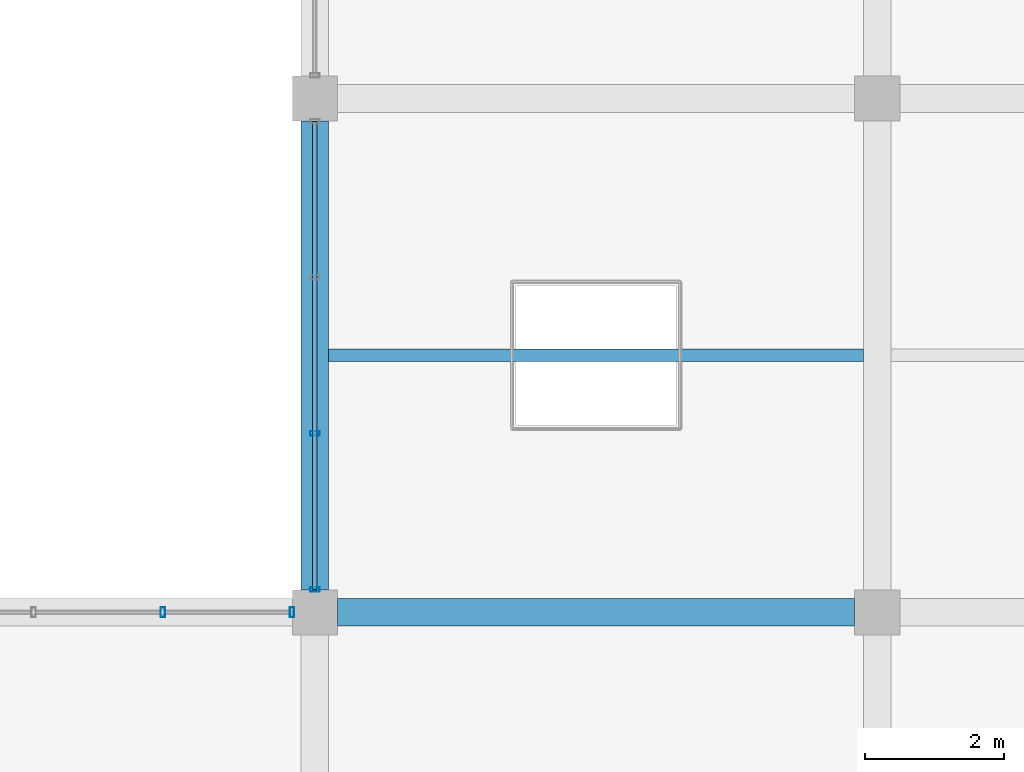
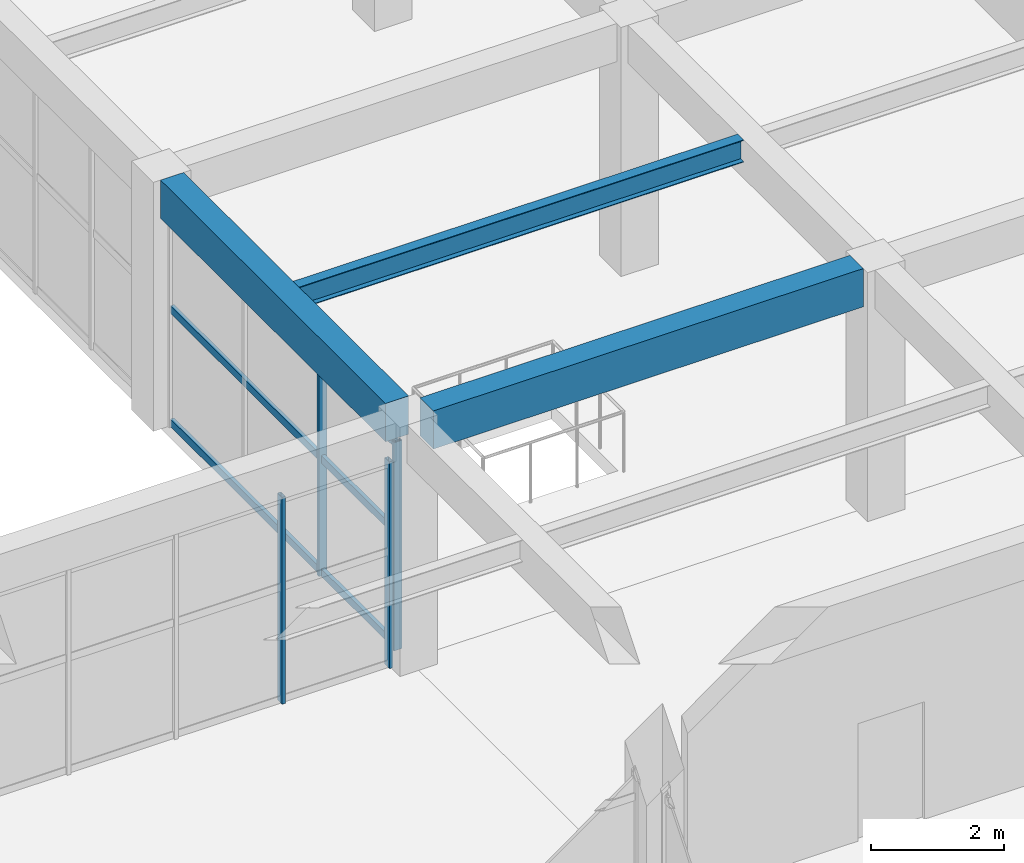
# One storey, part 120 of 161: 7 members, 3 beams, 2 elements without a shape of their own.
"""IFC4 building model written with IfcOpenShell, lengths in metres."""

from ifc_helpers import new_model, si_unit, direction, frame, origin, origin_2d, place, context, subcontext, project, spatial, rectangle, hollow_rectangle, i_section, extrude, material, material_profile, profile_set, type_object, element, aggregate, save


model = new_model("IFC4")

# Units and contexts
model_context = context("Model", 3, precision=1e-05, world=origin(), true_north=direction((0.0, 1.0)))
body_context = subcontext(model_context, "Body", "Model", "MODEL_VIEW")
ifc_project = project(units=[si_unit("LENGTHUNIT", "METRE"), si_unit("AREAUNIT", "SQUARE_METRE"), si_unit("VOLUMEUNIT", "CUBIC_METRE"), si_unit("PLANEANGLEUNIT", "RADIAN"), si_unit("MASSUNIT", "GRAM", prefix="KILO")], contexts=[model_context])

# Site, building, storey
site_placement = place(None, origin())
site = spatial("IfcSite", under=ifc_project, at=site_placement, CompositionType="ELEMENT")
building_placement = place(site_placement, origin())
building = spatial("IfcBuilding", under=site, at=building_placement, Name="Cimatlan Art Gallery", CompositionType="ELEMENT")
storey_placement = place(building_placement, frame((0.0, 0.0, 5.39990234375)))
storey = spatial("IfcBuildingStorey", under=building, at=storey_placement, Name="L01", CompositionType="ELEMENT", Elevation=5.39990234375)

# Beams
ifc_material_1 = material(Name="Concrete C40/50", Category="concrete")
ifc_material_profile_1 = material_profile(ifc_material_1, rectangle(XDim=0.39990234375, YDim=0.699951171875, at=origin_2d()), Name="RC400X700")
ifc_profile_set_1 = profile_set([ifc_material_profile_1], Name="Concrete C40/50")
beam_type_1 = type_object("IfcBeamType", Name="BM-RC-400X700", PredefinedType="BEAM", material=ifc_profile_set_1)
beam_1_placement = place(storey_placement, frame((147.800048828125, 61.22509765625, 4.210205078125), z_axis=(0.0, 1.0, 0.0), x_axis=(-1.0, 0.0, 0.0)))
element("IfcBeam", 1, at=beam_1_placement, inside=storey, type_object=beam_type_1, Name="BM-Y-L01-18-08", PredefinedType="BEAM", context=body_context, shape_type="SweptSolid", body=[
    extrude(rectangle(XDim=0.39990234375, YDim=0.699951171875, at=origin_2d()), origin(), (0.0, 0.0, 1.0), 6.75),
])
beam_2_placement = place(storey_placement, frame((148.125, 60.89990234375, 4.210205078125), z_axis=(1.0, 0.0, 0.0), x_axis=(0.0, 1.0, 0.0)))
element("IfcBeam", 2, at=beam_2_placement, inside=storey, type_object=beam_type_1, Name="BM-X-L01-18-08", PredefinedType="BEAM", context=body_context, shape_type="SweptSolid", body=[
    extrude(rectangle(XDim=0.39990234375, YDim=0.699951171875, at=origin_2d()), origin(), (0.0, 0.0, 1.0), 7.449951171875),
])
ifc_material_2 = material(Name="Steel ASTM A992 Grade 50", Category="steel")
ifc_material_profile_2 = material_profile(ifc_material_2, i_section(OverallWidth=0.177978515625, OverallDepth=0.406982421875, WebThickness=0.0078125, FlangeThickness=0.0126953125, at=origin_2d()), Name="W16X40")
ifc_profile_set_2 = profile_set([ifc_material_profile_2], Name="Steel ASTM A992 Grade 50")
beam_type_2 = type_object("IfcBeamType", Name="BM-STL-W16X40", PredefinedType="JOIST", material=ifc_profile_set_2)
beam_3_placement = place(storey_placement, frame((148.0, 64.60009765625, 4.356689453125), z_axis=(1.0, 0.0, 0.0), x_axis=(0.0, 1.0, 0.0)))
element("IfcBeam", 3, at=beam_3_placement, inside=storey, type_object=beam_type_2, Name="JST-L01-18-08", PredefinedType="JOIST", context=body_context, shape_type="SweptSolid", body=[
    extrude(i_section(OverallWidth=0.177978515625, OverallDepth=0.406982421875, WebThickness=0.0078125, FlangeThickness=0.0126953125, at=origin_2d()), origin(), (0.0, 0.0, 1.0), 7.699951171875),
])

# Curtain wall, members
ifc_material_3 = material(Name="Anodised bronze unitised curtain wall")
curtain_wall_type_1 = type_object("IfcCurtainWallType", Name="CW-V-07442X03785-B4", PredefinedType="NOTDEFINED", material=ifc_material_3)
curtain_wall_1_placement = place(storey_placement, origin())
curtain_wall_1 = element("IfcCurtainWall", 4, at=curtain_wall_1_placement, inside=storey, type_object=curtain_wall_type_1, Name="CW-L01-17-07-N", PredefinedType="NOTDEFINED")
ifc_material_4 = material(Name="Anodised bronze aluminium 6063-T6", Category="aluminium")
ifc_material_profile_3 = material_profile(ifc_material_4, hollow_rectangle(XDim=0.06494140625, YDim=0.139892578125, WallThickness=0.00390625, at=origin_2d()), Name="ALU65X140X4")
ifc_profile_set_3 = profile_set([ifc_material_profile_3], Name="Anodised bronze aluminium 6063-T6")
member_type_1 = type_object("IfcMemberType", Name="CW-MUL-140", PredefinedType="MULLION", material=ifc_profile_set_3)
member_1_placement = place(storey_placement, frame((145.610595703125, 60.89990234375, 0.0), z_axis=(0.0, 0.0, 1.0), x_axis=(1.0, 0.0, 0.0)))
member_1 = element("IfcMember", 5, at=member_1_placement, type_object=member_type_1, Name="CW-L01-17-07-N-M4", PredefinedType="MULLION", context=body_context, shape_type="SweptSolid", body=[
    extrude(hollow_rectangle(XDim=0.06494140625, YDim=0.139892578125, WallThickness=0.00390625, at=origin_2d()), origin(), (0.0, 0.0, 1.0), 3.78515625),
])
member_2_placement = place(storey_placement, frame((147.470947265625, 60.89990234375, 0.0), z_axis=(0.0, 0.0, 1.0), x_axis=(1.0, 0.0, 0.0)))
member_2 = element("IfcMember", 6, at=member_2_placement, type_object=member_type_1, Name="CW-L01-17-07-N-M5", PredefinedType="MULLION", context=body_context, shape_type="SweptSolid", body=[
    extrude(hollow_rectangle(XDim=0.06494140625, YDim=0.139892578125, WallThickness=0.00390625, at=origin_2d()), origin(), (0.0, 0.0, 1.0), 3.78515625),
])
aggregate(curtain_wall_1, [member_1, member_2])

curtain_wall_type_2 = type_object("IfcCurtainWallType", Name="CW-V-06742X03815-B3", PredefinedType="NOTDEFINED", material=ifc_material_3)
curtain_wall_2_placement = place(storey_placement, origin())
curtain_wall_2 = element("IfcCurtainWall", 7, at=curtain_wall_2_placement, inside=storey, type_object=curtain_wall_type_2, Name="CW-L01-18-08-W", PredefinedType="NOTDEFINED")
member_3_placement = place(storey_placement, frame((147.800048828125, 61.22900390625, 0.0), z_axis=(0.0, 0.0, 1.0), x_axis=(0.0, 1.0, 0.0)))
member_3 = element("IfcMember", 8, at=member_3_placement, type_object=member_type_1, Name="CW-L01-18-08-W-M1", PredefinedType="MULLION", context=body_context, shape_type="SweptSolid", body=[
    extrude(hollow_rectangle(XDim=0.06494140625, YDim=0.139892578125, WallThickness=0.00390625, at=origin_2d()), origin(), (0.0, 0.0, 1.0), 3.815185546875),
])
member_4_placement = place(storey_placement, frame((147.800048828125, 63.476318359375, 0.0), z_axis=(0.0, 0.0, 1.0), x_axis=(0.0, 1.0, 0.0)))
member_4 = element("IfcMember", 9, at=member_4_placement, type_object=member_type_1, Name="CW-L01-18-08-W-M2", PredefinedType="MULLION", context=body_context, shape_type="SweptSolid", body=[
    extrude(hollow_rectangle(XDim=0.06494140625, YDim=0.139892578125, WallThickness=0.00390625, at=origin_2d()), origin(), (0.0, 0.0, 1.0), 3.815185546875),
])
ifc_material_profile_4 = material_profile(ifc_material_4, hollow_rectangle(XDim=0.06494140625, YDim=0.139892578125, WallThickness=0.00390625, at=origin_2d()), Name="ALU65X140X4")
ifc_profile_set_4 = profile_set([ifc_material_profile_4], Name="Anodised bronze aluminium 6063-T6")
member_type_2 = type_object("IfcMemberType", Name="CW-TRN-140", PredefinedType="USERDEFINED", material=ifc_profile_set_4)
member_5_placement = place(storey_placement, frame((147.800048828125, 61.22900390625, 0.06005859375), z_axis=(0.0, 1.0, 0.0), x_axis=(-1.0, 0.0, 0.0)))
member_5 = element("IfcMember", 10, at=member_5_placement, type_object=member_type_2, Name="CW-L01-18-08-W-T1", ObjectType="TRANSOM", PredefinedType="USERDEFINED", context=body_context, shape_type="SweptSolid", body=[
    extrude(hollow_rectangle(XDim=0.06494140625, YDim=0.139892578125, WallThickness=0.00390625, at=origin_2d()), origin(), (0.0, 0.0, 1.0), 6.741943359375),
])
member_6_placement = place(storey_placement, frame((147.800048828125, 61.22900390625, 2.136474609375), z_axis=(0.0, 1.0, 0.0), x_axis=(-1.0, 0.0, 0.0)))
member_6 = element("IfcMember", 11, at=member_6_placement, type_object=member_type_2, Name="CW-L01-18-08-W-T2", ObjectType="TRANSOM", PredefinedType="USERDEFINED", context=body_context, shape_type="SweptSolid", body=[
    extrude(hollow_rectangle(XDim=0.06494140625, YDim=0.139892578125, WallThickness=0.00390625, at=origin_2d()), origin(), (0.0, 0.0, 1.0), 6.741943359375),
])
member_7_placement = place(storey_placement, frame((147.800048828125, 61.22900390625, 3.755126953125), z_axis=(0.0, 1.0, 0.0), x_axis=(-1.0, 0.0, 0.0)))
member_7 = element("IfcMember", 12, at=member_7_placement, type_object=member_type_2, Name="CW-L01-18-08-W-T3", ObjectType="TRANSOM", PredefinedType="USERDEFINED", context=body_context, shape_type="SweptSolid", body=[
    extrude(hollow_rectangle(XDim=0.06494140625, YDim=0.139892578125, WallThickness=0.00390625, at=origin_2d()), origin(), (0.0, 0.0, 1.0), 6.741943359375),
])
aggregate(curtain_wall_2, [member_3, member_4, member_5, member_6, member_7])

save(model, "model.ifc")
